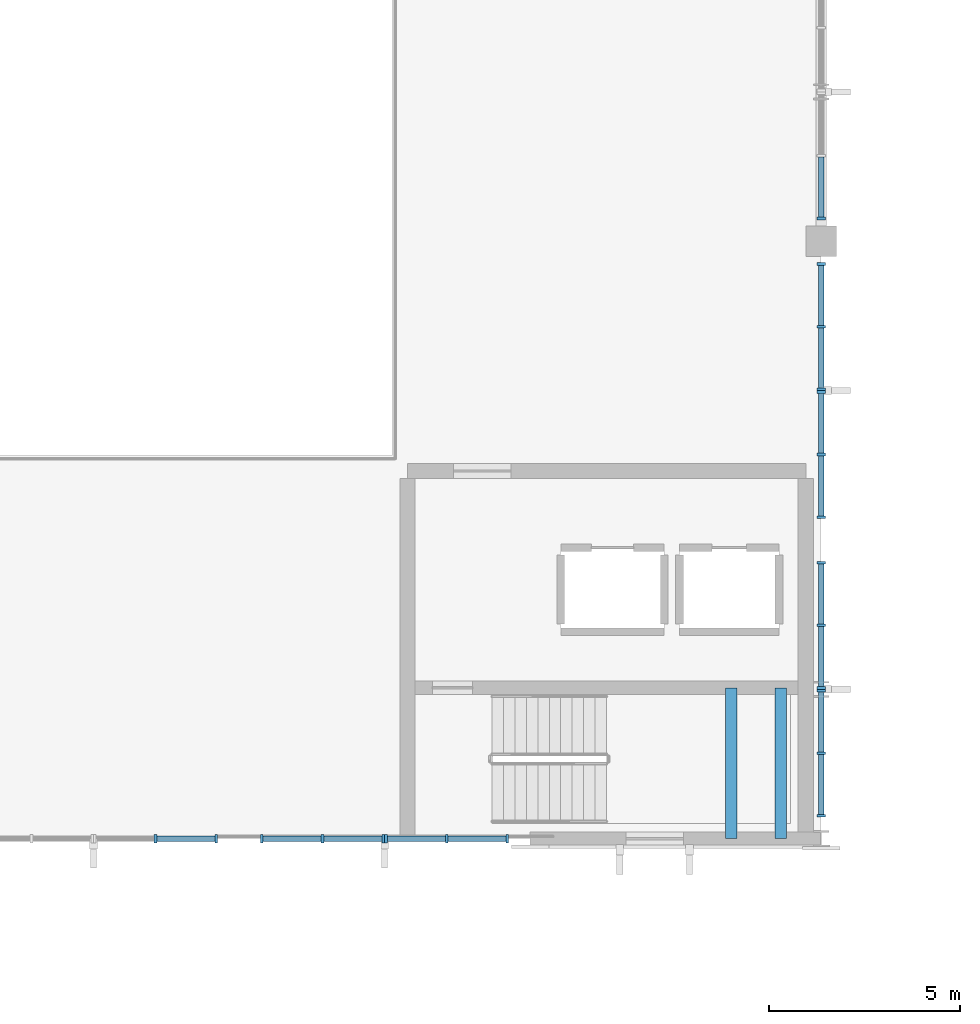
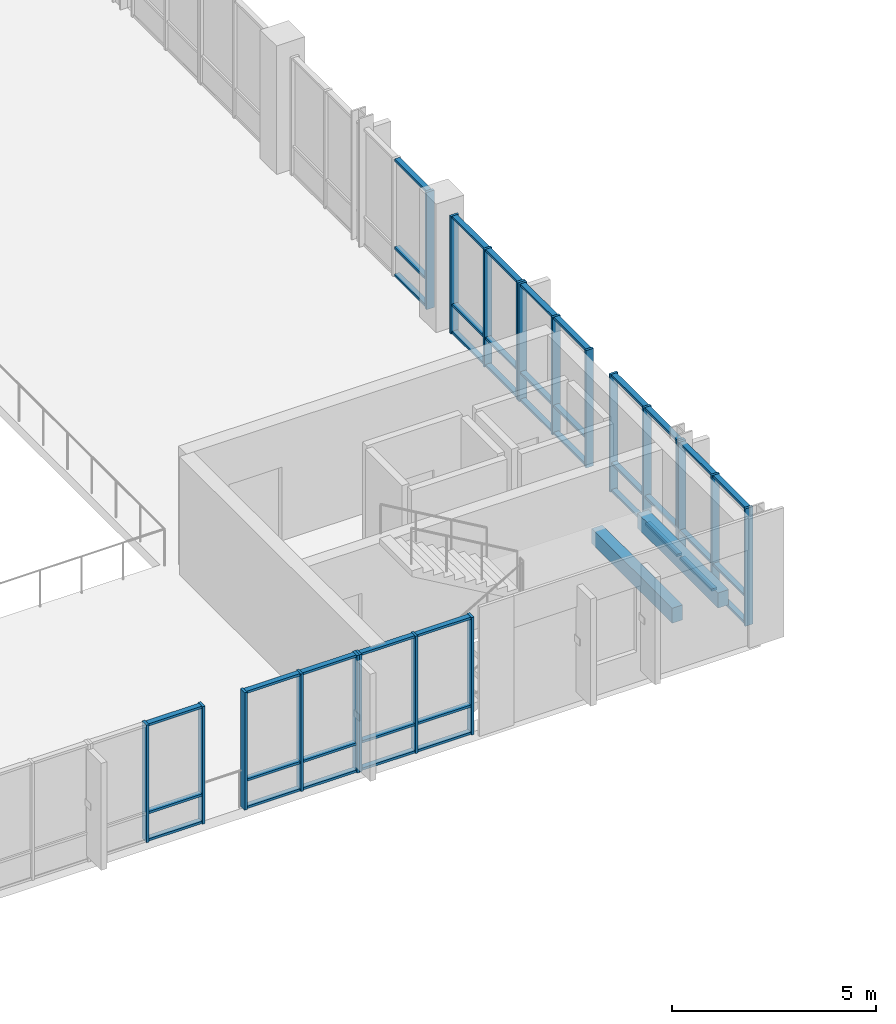
# One storey, part 26 of 64: 63 members, 2 beams, 8 elements without a shape of their own.
"""IFC4 building model written with IfcOpenShell, lengths in metres."""

from ifc_helpers import new_model, si_unit, direction, frame, origin, origin_2d, place, context, subcontext, project, spatial, rectangle, extrude, material, material_profile, profile_set, type_object, element, aggregate, save


model = new_model("IFC4")

# Units and contexts
model_context = context("Model", 3, precision=1e-05, world=origin(), true_north=direction((0.0, 1.0)))
body_context = subcontext(model_context, "Body", "Model", "MODEL_VIEW")
ifc_project = project(units=[si_unit("LENGTHUNIT", "METRE"), si_unit("AREAUNIT", "SQUARE_METRE"), si_unit("VOLUMEUNIT", "CUBIC_METRE"), si_unit("PLANEANGLEUNIT", "RADIAN"), si_unit("MASSUNIT", "GRAM", prefix="KILO")], contexts=[model_context])

# Site, building, storey
site_placement = place(None, origin())
site = spatial("IfcSite", under=ifc_project, at=site_placement, CompositionType="ELEMENT")
building_placement = place(site_placement, origin())
building = spatial("IfcBuilding", under=site, at=building_placement, Name="Vervanel Yard Central Library", CompositionType="ELEMENT")
storey_placement = place(building_placement, frame((0.0, 0.0, 8.93994140625)))
storey = spatial("IfcBuildingStorey", under=building, at=storey_placement, Name="L02", CompositionType="ELEMENT", Elevation=8.93994140625)

# Beams
ifc_material_1 = material(Name="Concrete C40/50", Category="concrete")
ifc_material_profile_1 = material_profile(ifc_material_1, rectangle(XDim=0.300048828125, YDim=0.449951171875, at=origin_2d()), Name="RC 300x450", Category="concrete")
ifc_profile_set_1 = profile_set([ifc_material_profile_1], Name="Concrete C40/50")
beam_type = type_object("IfcBeamType", Name="Concrete Opening Lintel 300x450", PredefinedType="LINTEL", material=ifc_profile_set_1)
for number, where, z_axis, x_axis, name in (
    (1, (143.64990234375, 43.199951171875, 1.4951171875), (0.0, 1.0, 0.0), (-1.0, 0.0, 0.0), "L02 CORE-E Stair Landing Beam 39"),
    (2, (144.949951171875, 43.199951171875, 1.4951171875), (0.0, 1.0, 0.0), (-1.0, 0.0, 0.0), "L02 CORE-E Stair Landing Beam 40"),
):
    element("IfcBeam", number, at=place(storey_placement, frame(where, z_axis=z_axis, x_axis=x_axis)), inside=storey, type_object=beam_type, Name=name, PredefinedType="LINTEL", context=body_context, shape_type="SweptSolid", body=[
        extrude(rectangle(XDim=0.300048828125, YDim=0.449951171875, at=origin_2d()), origin(), (0.0, 0.0, 1.0), 3.93505859375),
    ])

# Curtain wall, members
ifc_material_2 = material(Name="Thermally broken anodized aluminium 6063-T6", Category="aluminium")
curtain_wall_type_1 = type_object("IfcCurtainWallType", Name="Reading Hall Full-Height Curtain Wall", PredefinedType="NOTDEFINED", material=ifc_material_2)
curtain_wall_1_placement = place(storey_placement, origin())
curtain_wall_1 = element("IfcCurtainWall", 3, at=curtain_wall_1_placement, inside=storey, type_object=curtain_wall_type_1, Name="L02 Reading Hall Full-Height Curtain Wall CWR-L02-073", PredefinedType="NOTDEFINED")
ifc_material_profile_2 = material_profile(ifc_material_2, rectangle(XDim=0.070068359375, YDim=0.219970703125, at=origin_2d()), Name="ALU 70x220", Category="aluminium")
ifc_profile_set_2 = profile_set([ifc_material_profile_2], Name="Thermally broken anodized aluminium 6063-T6")
member_type_1 = type_object("IfcMemberType", Name="Reading Hall Deep Mullion 70x220", PredefinedType="MULLION", material=ifc_profile_set_2)
member_1_placement = place(storey_placement, frame((128.6201171875, 43.199951171875, 0.0), z_axis=(0.0, 0.0, 1.0), x_axis=(1.0, 0.0, 0.0)))
member_1 = element("IfcMember", 4, at=member_1_placement, type_object=member_type_1, Name="CWR-L02-073 Mullion 2", PredefinedType="MULLION", context=body_context, shape_type="SweptSolid", body=[
    extrude(rectangle(XDim=0.070068359375, YDim=0.219970703125, at=origin_2d()), origin(), (0.0, 0.0, 1.0), 3.510009765625),
])
member_2_placement = place(storey_placement, frame((130.205078125, 43.199951171875, 0.0), z_axis=(0.0, 0.0, 1.0), x_axis=(1.0, 0.0, 0.0)))
member_2 = element("IfcMember", 5, at=member_2_placement, type_object=member_type_1, Name="CWR-L02-073 Mullion 3", PredefinedType="MULLION", context=body_context, shape_type="SweptSolid", body=[
    extrude(rectangle(XDim=0.070068359375, YDim=0.219970703125, at=origin_2d()), origin(), (0.0, 0.0, 1.0), 3.510009765625),
])

curtain_wall_2_placement = place(storey_placement, origin())
curtain_wall_2 = element("IfcCurtainWall", 6, at=curtain_wall_2_placement, inside=storey, type_object=curtain_wall_type_1, Name="L02 Reading Hall Full-Height Curtain Wall CWR-L02-074", PredefinedType="NOTDEFINED")
member_3_placement = place(storey_placement, frame((131.39501953125, 43.199951171875, 0.0), z_axis=(0.0, 0.0, 1.0), x_axis=(1.0, 0.0, 0.0)))
member_3 = element("IfcMember", 7, at=member_3_placement, type_object=member_type_1, Name="CWR-L02-074 Mullion 1", PredefinedType="MULLION", context=body_context, shape_type="SweptSolid", body=[
    extrude(rectangle(XDim=0.070068359375, YDim=0.219970703125, at=origin_2d()), origin(), (0.0, 0.0, 1.0), 3.510009765625),
])
member_4_placement = place(storey_placement, frame((132.97998046875, 43.199951171875, 0.0), z_axis=(0.0, 0.0, 1.0), x_axis=(1.0, 0.0, 0.0)))
member_4 = element("IfcMember", 8, at=member_4_placement, type_object=member_type_1, Name="CWR-L02-074 Mullion 2", PredefinedType="MULLION", context=body_context, shape_type="SweptSolid", body=[
    extrude(rectangle(XDim=0.070068359375, YDim=0.219970703125, at=origin_2d()), origin(), (0.0, 0.0, 1.0), 3.510009765625),
])
member_5_placement = place(storey_placement, frame((134.56494140625, 43.199951171875, 0.0), z_axis=(0.0, 0.0, 1.0), x_axis=(1.0, 0.0, 0.0)))
member_5 = element("IfcMember", 9, at=member_5_placement, type_object=member_type_1, Name="CWR-L02-074 Mullion 3", PredefinedType="MULLION", context=body_context, shape_type="SweptSolid", body=[
    extrude(rectangle(XDim=0.070068359375, YDim=0.219970703125, at=origin_2d()), origin(), (0.0, 0.0, 1.0), 3.510009765625),
])

curtain_wall_3_placement = place(storey_placement, origin())
curtain_wall_3 = element("IfcCurtainWall", 10, at=curtain_wall_3_placement, inside=storey, type_object=curtain_wall_type_1, Name="L02 Reading Hall Full-Height Curtain Wall CWR-L02-075", PredefinedType="NOTDEFINED")
member_6_placement = place(storey_placement, frame((134.635009765625, 43.199951171875, 0.0), z_axis=(0.0, 0.0, 1.0), x_axis=(1.0, 0.0, 0.0)))
member_6 = element("IfcMember", 11, at=member_6_placement, type_object=member_type_1, Name="CWR-L02-075 Mullion 1", PredefinedType="MULLION", context=body_context, shape_type="SweptSolid", body=[
    extrude(rectangle(XDim=0.070068359375, YDim=0.219970703125, at=origin_2d()), origin(), (0.0, 0.0, 1.0), 3.510009765625),
])
member_7_placement = place(storey_placement, frame((136.219970703125, 43.199951171875, 0.0), z_axis=(0.0, 0.0, 1.0), x_axis=(1.0, 0.0, 0.0)))
member_7 = element("IfcMember", 12, at=member_7_placement, type_object=member_type_1, Name="CWR-L02-075 Mullion 2", PredefinedType="MULLION", context=body_context, shape_type="SweptSolid", body=[
    extrude(rectangle(XDim=0.070068359375, YDim=0.219970703125, at=origin_2d()), origin(), (0.0, 0.0, 1.0), 3.510009765625),
])
member_8_placement = place(storey_placement, frame((137.804931640625, 43.199951171875, 0.0), z_axis=(0.0, 0.0, 1.0), x_axis=(1.0, 0.0, 0.0)))
member_8 = element("IfcMember", 13, at=member_8_placement, type_object=member_type_1, Name="CWR-L02-075 Mullion 3", PredefinedType="MULLION", context=body_context, shape_type="SweptSolid", body=[
    extrude(rectangle(XDim=0.070068359375, YDim=0.219970703125, at=origin_2d()), origin(), (0.0, 0.0, 1.0), 3.510009765625),
])

curtain_wall_type_2 = type_object("IfcCurtainWallType", Name="Prow Cantilever Glazed Curtain Wall", PredefinedType="NOTDEFINED", material=ifc_material_2)
curtain_wall_4_placement = place(storey_placement, origin())
curtain_wall_4 = element("IfcCurtainWall", 14, at=curtain_wall_4_placement, inside=storey, type_object=curtain_wall_type_2, Name="L02 Prow Cantilever Glazed Curtain Wall CWR-L02-132", PredefinedType="NOTDEFINED")
member_9_placement = place(storey_placement, frame((146.0, 43.794921875, 0.0), z_axis=(0.0, 0.0, 1.0), x_axis=(0.0, 1.0, 0.0)))
member_9 = element("IfcMember", 15, at=member_9_placement, type_object=member_type_1, Name="CWR-L02-132 Mullion 1", PredefinedType="MULLION", context=body_context, shape_type="SweptSolid", body=[
    extrude(rectangle(XDim=0.070068359375, YDim=0.219970703125, at=origin_2d()), origin(), (0.0, 0.0, 1.0), 3.510009765625),
])
member_10_placement = place(storey_placement, frame((146.0, 45.429931640625, 0.0), z_axis=(0.0, 0.0, 1.0), x_axis=(0.0, 1.0, 0.0)))
member_10 = element("IfcMember", 16, at=member_10_placement, type_object=member_type_1, Name="CWR-L02-132 Mullion 2", PredefinedType="MULLION", context=body_context, shape_type="SweptSolid", body=[
    extrude(rectangle(XDim=0.070068359375, YDim=0.219970703125, at=origin_2d()), origin(), (0.0, 0.0, 1.0), 3.510009765625),
])
member_11_placement = place(storey_placement, frame((146.0, 47.06494140625, 0.0), z_axis=(0.0, 0.0, 1.0), x_axis=(0.0, 1.0, 0.0)))
member_11 = element("IfcMember", 17, at=member_11_placement, type_object=member_type_1, Name="CWR-L02-132 Mullion 3", PredefinedType="MULLION", context=body_context, shape_type="SweptSolid", body=[
    extrude(rectangle(XDim=0.070068359375, YDim=0.219970703125, at=origin_2d()), origin(), (0.0, 0.0, 1.0), 3.510009765625),
])

curtain_wall_5_placement = place(storey_placement, origin())
curtain_wall_5 = element("IfcCurtainWall", 18, at=curtain_wall_5_placement, inside=storey, type_object=curtain_wall_type_2, Name="L02 Prow Cantilever Glazed Curtain Wall CWR-L02-133", PredefinedType="NOTDEFINED")
member_12_placement = place(storey_placement, frame((146.0, 47.135009765625, 0.0), z_axis=(0.0, 0.0, 1.0), x_axis=(0.0, 1.0, 0.0)))
member_12 = element("IfcMember", 19, at=member_12_placement, type_object=member_type_1, Name="CWR-L02-133 Mullion 1", PredefinedType="MULLION", context=body_context, shape_type="SweptSolid", body=[
    extrude(rectangle(XDim=0.070068359375, YDim=0.219970703125, at=origin_2d()), origin(), (0.0, 0.0, 1.0), 3.510009765625),
])
member_13_placement = place(storey_placement, frame((146.0, 48.77001953125, 0.0), z_axis=(0.0, 0.0, 1.0), x_axis=(0.0, 1.0, 0.0)))
member_13 = element("IfcMember", 20, at=member_13_placement, type_object=member_type_1, Name="CWR-L02-133 Mullion 2", PredefinedType="MULLION", context=body_context, shape_type="SweptSolid", body=[
    extrude(rectangle(XDim=0.070068359375, YDim=0.219970703125, at=origin_2d()), origin(), (0.0, 0.0, 1.0), 3.510009765625),
])
member_14_placement = place(storey_placement, frame((146.0, 50.405029296875, 0.0), z_axis=(0.0, 0.0, 1.0), x_axis=(0.0, 1.0, 0.0)))
member_14 = element("IfcMember", 21, at=member_14_placement, type_object=member_type_1, Name="CWR-L02-133 Mullion 3", PredefinedType="MULLION", context=body_context, shape_type="SweptSolid", body=[
    extrude(rectangle(XDim=0.070068359375, YDim=0.219970703125, at=origin_2d()), origin(), (0.0, 0.0, 1.0), 3.510009765625),
])

curtain_wall_6_placement = place(storey_placement, origin())
curtain_wall_6 = element("IfcCurtainWall", 22, at=curtain_wall_6_placement, inside=storey, type_object=curtain_wall_type_2, Name="L02 Prow Cantilever Glazed Curtain Wall CWR-L02-134", PredefinedType="NOTDEFINED")
member_15_placement = place(storey_placement, frame((146.0, 51.594970703125, 0.0), z_axis=(0.0, 0.0, 1.0), x_axis=(0.0, 1.0, 0.0)))
member_15 = element("IfcMember", 23, at=member_15_placement, type_object=member_type_1, Name="CWR-L02-134 Mullion 1", PredefinedType="MULLION", context=body_context, shape_type="SweptSolid", body=[
    extrude(rectangle(XDim=0.070068359375, YDim=0.219970703125, at=origin_2d()), origin(), (0.0, 0.0, 1.0), 3.510009765625),
])
member_16_placement = place(storey_placement, frame((146.0, 53.22998046875, 0.0), z_axis=(0.0, 0.0, 1.0), x_axis=(0.0, 1.0, 0.0)))
member_16 = element("IfcMember", 24, at=member_16_placement, type_object=member_type_1, Name="CWR-L02-134 Mullion 2", PredefinedType="MULLION", context=body_context, shape_type="SweptSolid", body=[
    extrude(rectangle(XDim=0.070068359375, YDim=0.219970703125, at=origin_2d()), origin(), (0.0, 0.0, 1.0), 3.510009765625),
])
member_17_placement = place(storey_placement, frame((146.0, 54.864990234375, 0.0), z_axis=(0.0, 0.0, 1.0), x_axis=(0.0, 1.0, 0.0)))
member_17 = element("IfcMember", 25, at=member_17_placement, type_object=member_type_1, Name="CWR-L02-134 Mullion 3", PredefinedType="MULLION", context=body_context, shape_type="SweptSolid", body=[
    extrude(rectangle(XDim=0.070068359375, YDim=0.219970703125, at=origin_2d()), origin(), (0.0, 0.0, 1.0), 3.510009765625),
])

curtain_wall_7_placement = place(storey_placement, origin())
curtain_wall_7 = element("IfcCurtainWall", 26, at=curtain_wall_7_placement, inside=storey, type_object=curtain_wall_type_2, Name="L02 Prow Cantilever Glazed Curtain Wall CWR-L02-135", PredefinedType="NOTDEFINED")
member_18_placement = place(storey_placement, frame((146.0, 54.93505859375, 0.0), z_axis=(0.0, 0.0, 1.0), x_axis=(0.0, 1.0, 0.0)))
member_18 = element("IfcMember", 27, at=member_18_placement, type_object=member_type_1, Name="CWR-L02-135 Mullion 1", PredefinedType="MULLION", context=body_context, shape_type="SweptSolid", body=[
    extrude(rectangle(XDim=0.070068359375, YDim=0.219970703125, at=origin_2d()), origin(), (0.0, 0.0, 1.0), 3.510009765625),
])
member_19_placement = place(storey_placement, frame((146.0, 56.570068359375, 0.0), z_axis=(0.0, 0.0, 1.0), x_axis=(0.0, 1.0, 0.0)))
member_19 = element("IfcMember", 28, at=member_19_placement, type_object=member_type_1, Name="CWR-L02-135 Mullion 2", PredefinedType="MULLION", context=body_context, shape_type="SweptSolid", body=[
    extrude(rectangle(XDim=0.070068359375, YDim=0.219970703125, at=origin_2d()), origin(), (0.0, 0.0, 1.0), 3.510009765625),
])
member_20_placement = place(storey_placement, frame((146.0, 58.205078125, 0.0), z_axis=(0.0, 0.0, 1.0), x_axis=(0.0, 1.0, 0.0)))
member_20 = element("IfcMember", 29, at=member_20_placement, type_object=member_type_1, Name="CWR-L02-135 Mullion 3", PredefinedType="MULLION", context=body_context, shape_type="SweptSolid", body=[
    extrude(rectangle(XDim=0.070068359375, YDim=0.219970703125, at=origin_2d()), origin(), (0.0, 0.0, 1.0), 3.510009765625),
])

# Curtain wall, member
curtain_wall_8_placement = place(storey_placement, origin())
curtain_wall_8 = element("IfcCurtainWall", 30, at=curtain_wall_8_placement, inside=storey, type_object=curtain_wall_type_2, Name="L02 Prow Cantilever Glazed Curtain Wall CWR-L02-136", PredefinedType="NOTDEFINED")
member_21_placement = place(storey_placement, frame((146.0, 59.39501953125, 0.0), z_axis=(0.0, 0.0, 1.0), x_axis=(0.0, 1.0, 0.0)))
member_21 = element("IfcMember", 31, at=member_21_placement, type_object=member_type_1, Name="CWR-L02-136 Mullion 1", PredefinedType="MULLION", context=body_context, shape_type="SweptSolid", body=[
    extrude(rectangle(XDim=0.070068359375, YDim=0.219970703125, at=origin_2d()), origin(), (0.0, 0.0, 1.0), 3.510009765625),
])

# Member
ifc_material_profile_3 = material_profile(ifc_material_2, rectangle(XDim=0.070068359375, YDim=0.14990234375, at=origin_2d()), Name="ALU 70x150", Category="aluminium")
ifc_profile_set_3 = profile_set([ifc_material_profile_3], Name="Thermally broken anodized aluminium 6063-T6")
member_type_2 = type_object("IfcMemberType", Name="Reading Hall Deep Transom 70x150", PredefinedType="NOTDEFINED", material=ifc_profile_set_3)
member_22_placement = place(storey_placement, frame((128.655029296875, 43.199951171875, 0.03515625), z_axis=(1.0, 0.0, 0.0), x_axis=(0.0, 0.0, 1.0)))
member_22 = element("IfcMember", 32, at=member_22_placement, type_object=member_type_2, Name="CWR-L02-073 Transom B2-T1", ObjectType="TRANSOM", PredefinedType="USERDEFINED", context=body_context, shape_type="SweptSolid", body=[
    extrude(rectangle(XDim=0.070068359375, YDim=0.14990234375, at=origin_2d()), origin(), (0.0, 0.0, 1.0), 1.514892578125),
])

member_23_placement = place(storey_placement, frame((128.655029296875, 43.199951171875, 0.85009765625), z_axis=(1.0, 0.0, 0.0), x_axis=(0.0, 0.0, 1.0)))
member_23 = element("IfcMember", 33, at=member_23_placement, type_object=member_type_2, Name="CWR-L02-073 Transom B2-T2", ObjectType="TRANSOM", PredefinedType="USERDEFINED", context=body_context, shape_type="SweptSolid", body=[
    extrude(rectangle(XDim=0.070068359375, YDim=0.14990234375, at=origin_2d()), origin(), (0.0, 0.0, 1.0), 1.514892578125),
])

member_24_placement = place(storey_placement, frame((128.655029296875, 43.199951171875, 3.47509765625), z_axis=(1.0, 0.0, 0.0), x_axis=(0.0, 0.0, 1.0)))
member_24 = element("IfcMember", 34, at=member_24_placement, type_object=member_type_2, Name="CWR-L02-073 Transom B2-T3", ObjectType="TRANSOM", PredefinedType="USERDEFINED", context=body_context, shape_type="SweptSolid", body=[
    extrude(rectangle(XDim=0.070068359375, YDim=0.14990234375, at=origin_2d()), origin(), (0.0, 0.0, 1.0), 1.514892578125),
])

aggregate(curtain_wall_1, [member_1, member_2, member_22, member_23, member_24])

member_25_placement = place(storey_placement, frame((131.429931640625, 43.199951171875, 0.03515625), z_axis=(1.0, 0.0, 0.0), x_axis=(0.0, 0.0, 1.0)))
member_25 = element("IfcMember", 35, at=member_25_placement, type_object=member_type_2, Name="CWR-L02-074 Transom B1-T1", ObjectType="TRANSOM", PredefinedType="USERDEFINED", context=body_context, shape_type="SweptSolid", body=[
    extrude(rectangle(XDim=0.070068359375, YDim=0.14990234375, at=origin_2d()), origin(), (0.0, 0.0, 1.0), 1.51513671875),
])

member_26_placement = place(storey_placement, frame((131.429931640625, 43.199951171875, 0.85009765625), z_axis=(1.0, 0.0, 0.0), x_axis=(0.0, 0.0, 1.0)))
member_26 = element("IfcMember", 36, at=member_26_placement, type_object=member_type_2, Name="CWR-L02-074 Transom B1-T2", ObjectType="TRANSOM", PredefinedType="USERDEFINED", context=body_context, shape_type="SweptSolid", body=[
    extrude(rectangle(XDim=0.070068359375, YDim=0.14990234375, at=origin_2d()), origin(), (0.0, 0.0, 1.0), 1.51513671875),
])

member_27_placement = place(storey_placement, frame((131.429931640625, 43.199951171875, 3.47509765625), z_axis=(1.0, 0.0, 0.0), x_axis=(0.0, 0.0, 1.0)))
member_27 = element("IfcMember", 37, at=member_27_placement, type_object=member_type_2, Name="CWR-L02-074 Transom B1-T3", ObjectType="TRANSOM", PredefinedType="USERDEFINED", context=body_context, shape_type="SweptSolid", body=[
    extrude(rectangle(XDim=0.070068359375, YDim=0.14990234375, at=origin_2d()), origin(), (0.0, 0.0, 1.0), 1.51513671875),
])

member_28_placement = place(storey_placement, frame((133.014892578125, 43.199951171875, 0.03515625), z_axis=(1.0, 0.0, 0.0), x_axis=(0.0, 0.0, 1.0)))
member_28 = element("IfcMember", 38, at=member_28_placement, type_object=member_type_2, Name="CWR-L02-074 Transom B2-T1", ObjectType="TRANSOM", PredefinedType="USERDEFINED", context=body_context, shape_type="SweptSolid", body=[
    extrude(rectangle(XDim=0.070068359375, YDim=0.14990234375, at=origin_2d()), origin(), (0.0, 0.0, 1.0), 1.51513671875),
])

member_29_placement = place(storey_placement, frame((133.014892578125, 43.199951171875, 0.85009765625), z_axis=(1.0, 0.0, 0.0), x_axis=(0.0, 0.0, 1.0)))
member_29 = element("IfcMember", 39, at=member_29_placement, type_object=member_type_2, Name="CWR-L02-074 Transom B2-T2", ObjectType="TRANSOM", PredefinedType="USERDEFINED", context=body_context, shape_type="SweptSolid", body=[
    extrude(rectangle(XDim=0.070068359375, YDim=0.14990234375, at=origin_2d()), origin(), (0.0, 0.0, 1.0), 1.51513671875),
])

member_30_placement = place(storey_placement, frame((133.014892578125, 43.199951171875, 3.47509765625), z_axis=(1.0, 0.0, 0.0), x_axis=(0.0, 0.0, 1.0)))
member_30 = element("IfcMember", 40, at=member_30_placement, type_object=member_type_2, Name="CWR-L02-074 Transom B2-T3", ObjectType="TRANSOM", PredefinedType="USERDEFINED", context=body_context, shape_type="SweptSolid", body=[
    extrude(rectangle(XDim=0.070068359375, YDim=0.14990234375, at=origin_2d()), origin(), (0.0, 0.0, 1.0), 1.51513671875),
])

aggregate(curtain_wall_2, [member_3, member_4, member_5, member_25, member_26, member_27, member_28, member_29, member_30])

member_31_placement = place(storey_placement, frame((134.669921875, 43.199951171875, 0.03515625), z_axis=(1.0, 0.0, 0.0), x_axis=(0.0, 0.0, 1.0)))
member_31 = element("IfcMember", 41, at=member_31_placement, type_object=member_type_2, Name="CWR-L02-075 Transom B1-T1", ObjectType="TRANSOM", PredefinedType="USERDEFINED", context=body_context, shape_type="SweptSolid", body=[
    extrude(rectangle(XDim=0.070068359375, YDim=0.14990234375, at=origin_2d()), origin(), (0.0, 0.0, 1.0), 1.51513671875),
])

member_32_placement = place(storey_placement, frame((134.669921875, 43.199951171875, 0.85009765625), z_axis=(1.0, 0.0, 0.0), x_axis=(0.0, 0.0, 1.0)))
member_32 = element("IfcMember", 42, at=member_32_placement, type_object=member_type_2, Name="CWR-L02-075 Transom B1-T2", ObjectType="TRANSOM", PredefinedType="USERDEFINED", context=body_context, shape_type="SweptSolid", body=[
    extrude(rectangle(XDim=0.070068359375, YDim=0.14990234375, at=origin_2d()), origin(), (0.0, 0.0, 1.0), 1.51513671875),
])

member_33_placement = place(storey_placement, frame((134.669921875, 43.199951171875, 3.47509765625), z_axis=(1.0, 0.0, 0.0), x_axis=(0.0, 0.0, 1.0)))
member_33 = element("IfcMember", 43, at=member_33_placement, type_object=member_type_2, Name="CWR-L02-075 Transom B1-T3", ObjectType="TRANSOM", PredefinedType="USERDEFINED", context=body_context, shape_type="SweptSolid", body=[
    extrude(rectangle(XDim=0.070068359375, YDim=0.14990234375, at=origin_2d()), origin(), (0.0, 0.0, 1.0), 1.51513671875),
])

member_34_placement = place(storey_placement, frame((136.2548828125, 43.199951171875, 0.03515625), z_axis=(1.0, 0.0, 0.0), x_axis=(0.0, 0.0, 1.0)))
member_34 = element("IfcMember", 44, at=member_34_placement, type_object=member_type_2, Name="CWR-L02-075 Transom B2-T1", ObjectType="TRANSOM", PredefinedType="USERDEFINED", context=body_context, shape_type="SweptSolid", body=[
    extrude(rectangle(XDim=0.070068359375, YDim=0.14990234375, at=origin_2d()), origin(), (0.0, 0.0, 1.0), 1.51513671875),
])

member_35_placement = place(storey_placement, frame((136.2548828125, 43.199951171875, 0.85009765625), z_axis=(1.0, 0.0, 0.0), x_axis=(0.0, 0.0, 1.0)))
member_35 = element("IfcMember", 45, at=member_35_placement, type_object=member_type_2, Name="CWR-L02-075 Transom B2-T2", ObjectType="TRANSOM", PredefinedType="USERDEFINED", context=body_context, shape_type="SweptSolid", body=[
    extrude(rectangle(XDim=0.070068359375, YDim=0.14990234375, at=origin_2d()), origin(), (0.0, 0.0, 1.0), 1.51513671875),
])

member_36_placement = place(storey_placement, frame((136.2548828125, 43.199951171875, 3.47509765625), z_axis=(1.0, 0.0, 0.0), x_axis=(0.0, 0.0, 1.0)))
member_36 = element("IfcMember", 46, at=member_36_placement, type_object=member_type_2, Name="CWR-L02-075 Transom B2-T3", ObjectType="TRANSOM", PredefinedType="USERDEFINED", context=body_context, shape_type="SweptSolid", body=[
    extrude(rectangle(XDim=0.070068359375, YDim=0.14990234375, at=origin_2d()), origin(), (0.0, 0.0, 1.0), 1.51513671875),
])

aggregate(curtain_wall_3, [member_6, member_7, member_8, member_31, member_32, member_33, member_34, member_35, member_36])

member_37_placement = place(storey_placement, frame((146.0, 43.830078125, 0.03515625), z_axis=(0.0, 1.0, 0.0), x_axis=(0.0, 0.0, 1.0)))
member_37 = element("IfcMember", 47, at=member_37_placement, type_object=member_type_2, Name="CWR-L02-132 Transom B1-T1", ObjectType="TRANSOM", PredefinedType="USERDEFINED", context=body_context, shape_type="SweptSolid", body=[
    extrude(rectangle(XDim=0.070068359375, YDim=0.14990234375, at=origin_2d()), origin(), (0.0, 0.0, 1.0), 1.56494140625),
])

member_38_placement = place(storey_placement, frame((146.0, 43.830078125, 0.85009765625), z_axis=(0.0, 1.0, 0.0), x_axis=(0.0, 0.0, 1.0)))
member_38 = element("IfcMember", 48, at=member_38_placement, type_object=member_type_2, Name="CWR-L02-132 Transom B1-T2", ObjectType="TRANSOM", PredefinedType="USERDEFINED", context=body_context, shape_type="SweptSolid", body=[
    extrude(rectangle(XDim=0.070068359375, YDim=0.14990234375, at=origin_2d()), origin(), (0.0, 0.0, 1.0), 1.56494140625),
])

member_39_placement = place(storey_placement, frame((146.0, 43.830078125, 3.47509765625), z_axis=(0.0, 1.0, 0.0), x_axis=(0.0, 0.0, 1.0)))
member_39 = element("IfcMember", 49, at=member_39_placement, type_object=member_type_2, Name="CWR-L02-132 Transom B1-T3", ObjectType="TRANSOM", PredefinedType="USERDEFINED", context=body_context, shape_type="SweptSolid", body=[
    extrude(rectangle(XDim=0.070068359375, YDim=0.14990234375, at=origin_2d()), origin(), (0.0, 0.0, 1.0), 1.56494140625),
])

member_40_placement = place(storey_placement, frame((146.0, 45.465087890625, 0.03515625), z_axis=(0.0, 1.0, 0.0), x_axis=(0.0, 0.0, 1.0)))
member_40 = element("IfcMember", 50, at=member_40_placement, type_object=member_type_2, Name="CWR-L02-132 Transom B2-T1", ObjectType="TRANSOM", PredefinedType="USERDEFINED", context=body_context, shape_type="SweptSolid", body=[
    extrude(rectangle(XDim=0.070068359375, YDim=0.14990234375, at=origin_2d()), origin(), (0.0, 0.0, 1.0), 1.56494140625),
])

member_41_placement = place(storey_placement, frame((146.0, 45.465087890625, 0.85009765625), z_axis=(0.0, 1.0, 0.0), x_axis=(0.0, 0.0, 1.0)))
member_41 = element("IfcMember", 51, at=member_41_placement, type_object=member_type_2, Name="CWR-L02-132 Transom B2-T2", ObjectType="TRANSOM", PredefinedType="USERDEFINED", context=body_context, shape_type="SweptSolid", body=[
    extrude(rectangle(XDim=0.070068359375, YDim=0.14990234375, at=origin_2d()), origin(), (0.0, 0.0, 1.0), 1.56494140625),
])

member_42_placement = place(storey_placement, frame((146.0, 45.465087890625, 3.47509765625), z_axis=(0.0, 1.0, 0.0), x_axis=(0.0, 0.0, 1.0)))
member_42 = element("IfcMember", 52, at=member_42_placement, type_object=member_type_2, Name="CWR-L02-132 Transom B2-T3", ObjectType="TRANSOM", PredefinedType="USERDEFINED", context=body_context, shape_type="SweptSolid", body=[
    extrude(rectangle(XDim=0.070068359375, YDim=0.14990234375, at=origin_2d()), origin(), (0.0, 0.0, 1.0), 1.56494140625),
])

aggregate(curtain_wall_4, [member_9, member_10, member_11, member_37, member_38, member_39, member_40, member_41, member_42])

member_43_placement = place(storey_placement, frame((146.0, 47.169921875, 0.03515625), z_axis=(0.0, 1.0, 0.0), x_axis=(0.0, 0.0, 1.0)))
member_43 = element("IfcMember", 53, at=member_43_placement, type_object=member_type_2, Name="CWR-L02-133 Transom B1-T1", ObjectType="TRANSOM", PredefinedType="USERDEFINED", context=body_context, shape_type="SweptSolid", body=[
    extrude(rectangle(XDim=0.070068359375, YDim=0.14990234375, at=origin_2d()), origin(), (0.0, 0.0, 1.0), 1.565185546875),
])

member_44_placement = place(storey_placement, frame((146.0, 47.169921875, 0.85009765625), z_axis=(0.0, 1.0, 0.0), x_axis=(0.0, 0.0, 1.0)))
member_44 = element("IfcMember", 54, at=member_44_placement, type_object=member_type_2, Name="CWR-L02-133 Transom B1-T2", ObjectType="TRANSOM", PredefinedType="USERDEFINED", context=body_context, shape_type="SweptSolid", body=[
    extrude(rectangle(XDim=0.070068359375, YDim=0.14990234375, at=origin_2d()), origin(), (0.0, 0.0, 1.0), 1.565185546875),
])

member_45_placement = place(storey_placement, frame((146.0, 47.169921875, 3.47509765625), z_axis=(0.0, 1.0, 0.0), x_axis=(0.0, 0.0, 1.0)))
member_45 = element("IfcMember", 55, at=member_45_placement, type_object=member_type_2, Name="CWR-L02-133 Transom B1-T3", ObjectType="TRANSOM", PredefinedType="USERDEFINED", context=body_context, shape_type="SweptSolid", body=[
    extrude(rectangle(XDim=0.070068359375, YDim=0.14990234375, at=origin_2d()), origin(), (0.0, 0.0, 1.0), 1.565185546875),
])

member_46_placement = place(storey_placement, frame((146.0, 48.804931640625, 0.03515625), z_axis=(0.0, 1.0, 0.0), x_axis=(0.0, 0.0, 1.0)))
member_46 = element("IfcMember", 56, at=member_46_placement, type_object=member_type_2, Name="CWR-L02-133 Transom B2-T1", ObjectType="TRANSOM", PredefinedType="USERDEFINED", context=body_context, shape_type="SweptSolid", body=[
    extrude(rectangle(XDim=0.070068359375, YDim=0.14990234375, at=origin_2d()), origin(), (0.0, 0.0, 1.0), 1.565185546875),
])

member_47_placement = place(storey_placement, frame((146.0, 48.804931640625, 0.85009765625), z_axis=(0.0, 1.0, 0.0), x_axis=(0.0, 0.0, 1.0)))
member_47 = element("IfcMember", 57, at=member_47_placement, type_object=member_type_2, Name="CWR-L02-133 Transom B2-T2", ObjectType="TRANSOM", PredefinedType="USERDEFINED", context=body_context, shape_type="SweptSolid", body=[
    extrude(rectangle(XDim=0.070068359375, YDim=0.14990234375, at=origin_2d()), origin(), (0.0, 0.0, 1.0), 1.565185546875),
])

member_48_placement = place(storey_placement, frame((146.0, 48.804931640625, 3.47509765625), z_axis=(0.0, 1.0, 0.0), x_axis=(0.0, 0.0, 1.0)))
member_48 = element("IfcMember", 58, at=member_48_placement, type_object=member_type_2, Name="CWR-L02-133 Transom B2-T3", ObjectType="TRANSOM", PredefinedType="USERDEFINED", context=body_context, shape_type="SweptSolid", body=[
    extrude(rectangle(XDim=0.070068359375, YDim=0.14990234375, at=origin_2d()), origin(), (0.0, 0.0, 1.0), 1.565185546875),
])

aggregate(curtain_wall_5, [member_12, member_13, member_14, member_43, member_44, member_45, member_46, member_47, member_48])

member_49_placement = place(storey_placement, frame((146.0, 51.6298828125, 0.03515625), z_axis=(0.0, 1.0, 0.0), x_axis=(0.0, 0.0, 1.0)))
member_49 = element("IfcMember", 59, at=member_49_placement, type_object=member_type_2, Name="CWR-L02-134 Transom B1-T1", ObjectType="TRANSOM", PredefinedType="USERDEFINED", context=body_context, shape_type="SweptSolid", body=[
    extrude(rectangle(XDim=0.070068359375, YDim=0.14990234375, at=origin_2d()), origin(), (0.0, 0.0, 1.0), 1.565185546875),
])

member_50_placement = place(storey_placement, frame((146.0, 51.6298828125, 0.85009765625), z_axis=(0.0, 1.0, 0.0), x_axis=(0.0, 0.0, 1.0)))
member_50 = element("IfcMember", 60, at=member_50_placement, type_object=member_type_2, Name="CWR-L02-134 Transom B1-T2", ObjectType="TRANSOM", PredefinedType="USERDEFINED", context=body_context, shape_type="SweptSolid", body=[
    extrude(rectangle(XDim=0.070068359375, YDim=0.14990234375, at=origin_2d()), origin(), (0.0, 0.0, 1.0), 1.565185546875),
])

member_51_placement = place(storey_placement, frame((146.0, 51.6298828125, 3.47509765625), z_axis=(0.0, 1.0, 0.0), x_axis=(0.0, 0.0, 1.0)))
member_51 = element("IfcMember", 61, at=member_51_placement, type_object=member_type_2, Name="CWR-L02-134 Transom B1-T3", ObjectType="TRANSOM", PredefinedType="USERDEFINED", context=body_context, shape_type="SweptSolid", body=[
    extrude(rectangle(XDim=0.070068359375, YDim=0.14990234375, at=origin_2d()), origin(), (0.0, 0.0, 1.0), 1.565185546875),
])

member_52_placement = place(storey_placement, frame((146.0, 53.264892578125, 0.03515625), z_axis=(0.0, 1.0, 0.0), x_axis=(0.0, 0.0, 1.0)))
member_52 = element("IfcMember", 62, at=member_52_placement, type_object=member_type_2, Name="CWR-L02-134 Transom B2-T1", ObjectType="TRANSOM", PredefinedType="USERDEFINED", context=body_context, shape_type="SweptSolid", body=[
    extrude(rectangle(XDim=0.070068359375, YDim=0.14990234375, at=origin_2d()), origin(), (0.0, 0.0, 1.0), 1.565185546875),
])

member_53_placement = place(storey_placement, frame((146.0, 53.264892578125, 0.85009765625), z_axis=(0.0, 1.0, 0.0), x_axis=(0.0, 0.0, 1.0)))
member_53 = element("IfcMember", 63, at=member_53_placement, type_object=member_type_2, Name="CWR-L02-134 Transom B2-T2", ObjectType="TRANSOM", PredefinedType="USERDEFINED", context=body_context, shape_type="SweptSolid", body=[
    extrude(rectangle(XDim=0.070068359375, YDim=0.14990234375, at=origin_2d()), origin(), (0.0, 0.0, 1.0), 1.565185546875),
])

member_54_placement = place(storey_placement, frame((146.0, 53.264892578125, 3.47509765625), z_axis=(0.0, 1.0, 0.0), x_axis=(0.0, 0.0, 1.0)))
member_54 = element("IfcMember", 64, at=member_54_placement, type_object=member_type_2, Name="CWR-L02-134 Transom B2-T3", ObjectType="TRANSOM", PredefinedType="USERDEFINED", context=body_context, shape_type="SweptSolid", body=[
    extrude(rectangle(XDim=0.070068359375, YDim=0.14990234375, at=origin_2d()), origin(), (0.0, 0.0, 1.0), 1.565185546875),
])

aggregate(curtain_wall_6, [member_15, member_16, member_17, member_49, member_50, member_51, member_52, member_53, member_54])

member_55_placement = place(storey_placement, frame((146.0, 54.969970703125, 0.03515625), z_axis=(0.0, 1.0, 0.0), x_axis=(0.0, 0.0, 1.0)))
member_55 = element("IfcMember", 65, at=member_55_placement, type_object=member_type_2, Name="CWR-L02-135 Transom B1-T1", ObjectType="TRANSOM", PredefinedType="USERDEFINED", context=body_context, shape_type="SweptSolid", body=[
    extrude(rectangle(XDim=0.070068359375, YDim=0.14990234375, at=origin_2d()), origin(), (0.0, 0.0, 1.0), 1.56494140625),
])

member_56_placement = place(storey_placement, frame((146.0, 54.969970703125, 0.85009765625), z_axis=(0.0, 1.0, 0.0), x_axis=(0.0, 0.0, 1.0)))
member_56 = element("IfcMember", 66, at=member_56_placement, type_object=member_type_2, Name="CWR-L02-135 Transom B1-T2", ObjectType="TRANSOM", PredefinedType="USERDEFINED", context=body_context, shape_type="SweptSolid", body=[
    extrude(rectangle(XDim=0.070068359375, YDim=0.14990234375, at=origin_2d()), origin(), (0.0, 0.0, 1.0), 1.56494140625),
])

member_57_placement = place(storey_placement, frame((146.0, 54.969970703125, 3.47509765625), z_axis=(0.0, 1.0, 0.0), x_axis=(0.0, 0.0, 1.0)))
member_57 = element("IfcMember", 67, at=member_57_placement, type_object=member_type_2, Name="CWR-L02-135 Transom B1-T3", ObjectType="TRANSOM", PredefinedType="USERDEFINED", context=body_context, shape_type="SweptSolid", body=[
    extrude(rectangle(XDim=0.070068359375, YDim=0.14990234375, at=origin_2d()), origin(), (0.0, 0.0, 1.0), 1.56494140625),
])

member_58_placement = place(storey_placement, frame((146.0, 56.60498046875, 0.03515625), z_axis=(0.0, 1.0, 0.0), x_axis=(0.0, 0.0, 1.0)))
member_58 = element("IfcMember", 68, at=member_58_placement, type_object=member_type_2, Name="CWR-L02-135 Transom B2-T1", ObjectType="TRANSOM", PredefinedType="USERDEFINED", context=body_context, shape_type="SweptSolid", body=[
    extrude(rectangle(XDim=0.070068359375, YDim=0.14990234375, at=origin_2d()), origin(), (0.0, 0.0, 1.0), 1.56494140625),
])

member_59_placement = place(storey_placement, frame((146.0, 56.60498046875, 0.85009765625), z_axis=(0.0, 1.0, 0.0), x_axis=(0.0, 0.0, 1.0)))
member_59 = element("IfcMember", 69, at=member_59_placement, type_object=member_type_2, Name="CWR-L02-135 Transom B2-T2", ObjectType="TRANSOM", PredefinedType="USERDEFINED", context=body_context, shape_type="SweptSolid", body=[
    extrude(rectangle(XDim=0.070068359375, YDim=0.14990234375, at=origin_2d()), origin(), (0.0, 0.0, 1.0), 1.56494140625),
])

member_60_placement = place(storey_placement, frame((146.0, 56.60498046875, 3.47509765625), z_axis=(0.0, 1.0, 0.0), x_axis=(0.0, 0.0, 1.0)))
member_60 = element("IfcMember", 70, at=member_60_placement, type_object=member_type_2, Name="CWR-L02-135 Transom B2-T3", ObjectType="TRANSOM", PredefinedType="USERDEFINED", context=body_context, shape_type="SweptSolid", body=[
    extrude(rectangle(XDim=0.070068359375, YDim=0.14990234375, at=origin_2d()), origin(), (0.0, 0.0, 1.0), 1.56494140625),
])

aggregate(curtain_wall_7, [member_18, member_19, member_20, member_55, member_56, member_57, member_58, member_59, member_60])

member_61_placement = place(storey_placement, frame((146.0, 59.429931640625, 0.03515625), z_axis=(0.0, 1.0, 0.0), x_axis=(0.0, 0.0, 1.0)))
member_61 = element("IfcMember", 71, at=member_61_placement, type_object=member_type_2, Name="CWR-L02-136 Transom B1-T1", ObjectType="TRANSOM", PredefinedType="USERDEFINED", context=body_context, shape_type="SweptSolid", body=[
    extrude(rectangle(XDim=0.070068359375, YDim=0.14990234375, at=origin_2d()), origin(), (0.0, 0.0, 1.0), 1.565185546875),
])

member_62_placement = place(storey_placement, frame((146.0, 59.429931640625, 0.85009765625), z_axis=(0.0, 1.0, 0.0), x_axis=(0.0, 0.0, 1.0)))
member_62 = element("IfcMember", 72, at=member_62_placement, type_object=member_type_2, Name="CWR-L02-136 Transom B1-T2", ObjectType="TRANSOM", PredefinedType="USERDEFINED", context=body_context, shape_type="SweptSolid", body=[
    extrude(rectangle(XDim=0.070068359375, YDim=0.14990234375, at=origin_2d()), origin(), (0.0, 0.0, 1.0), 1.565185546875),
])

member_63_placement = place(storey_placement, frame((146.0, 59.429931640625, 3.47509765625), z_axis=(0.0, 1.0, 0.0), x_axis=(0.0, 0.0, 1.0)))
member_63 = element("IfcMember", 73, at=member_63_placement, type_object=member_type_2, Name="CWR-L02-136 Transom B1-T3", ObjectType="TRANSOM", PredefinedType="USERDEFINED", context=body_context, shape_type="SweptSolid", body=[
    extrude(rectangle(XDim=0.070068359375, YDim=0.14990234375, at=origin_2d()), origin(), (0.0, 0.0, 1.0), 1.565185546875),
])

aggregate(curtain_wall_8, [member_21, member_61, member_62, member_63])

save(model, "model.ifc")
